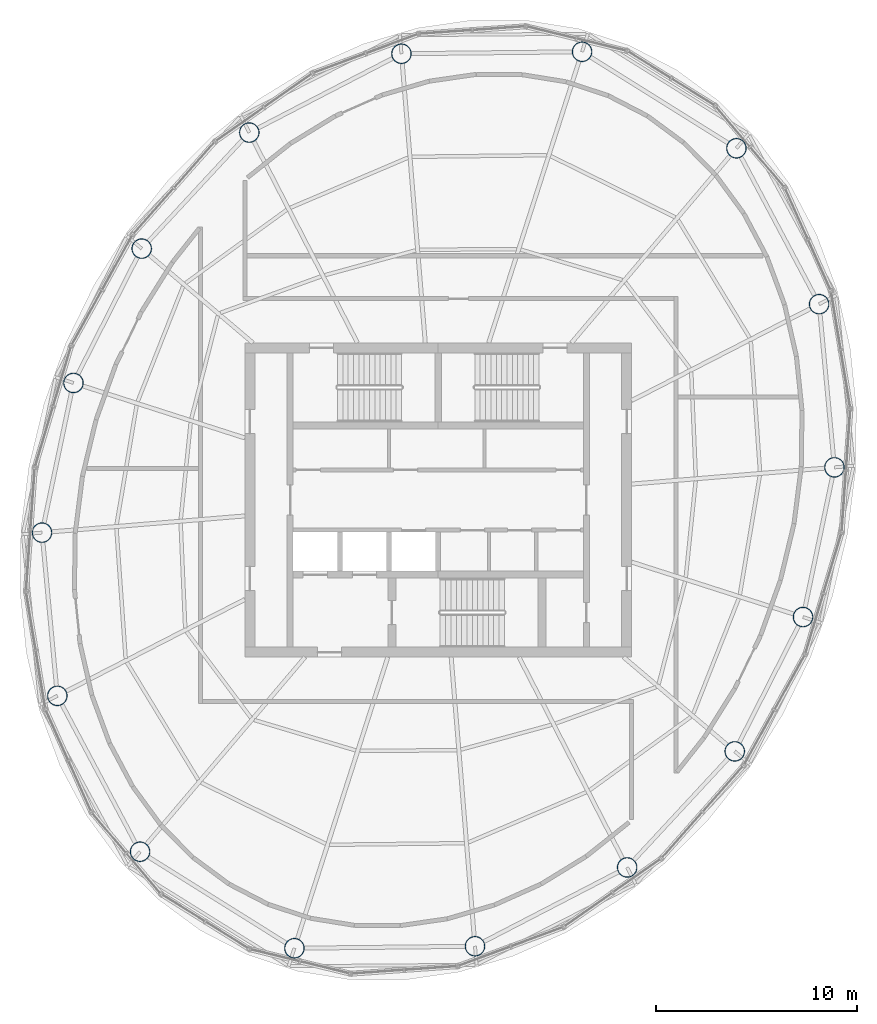
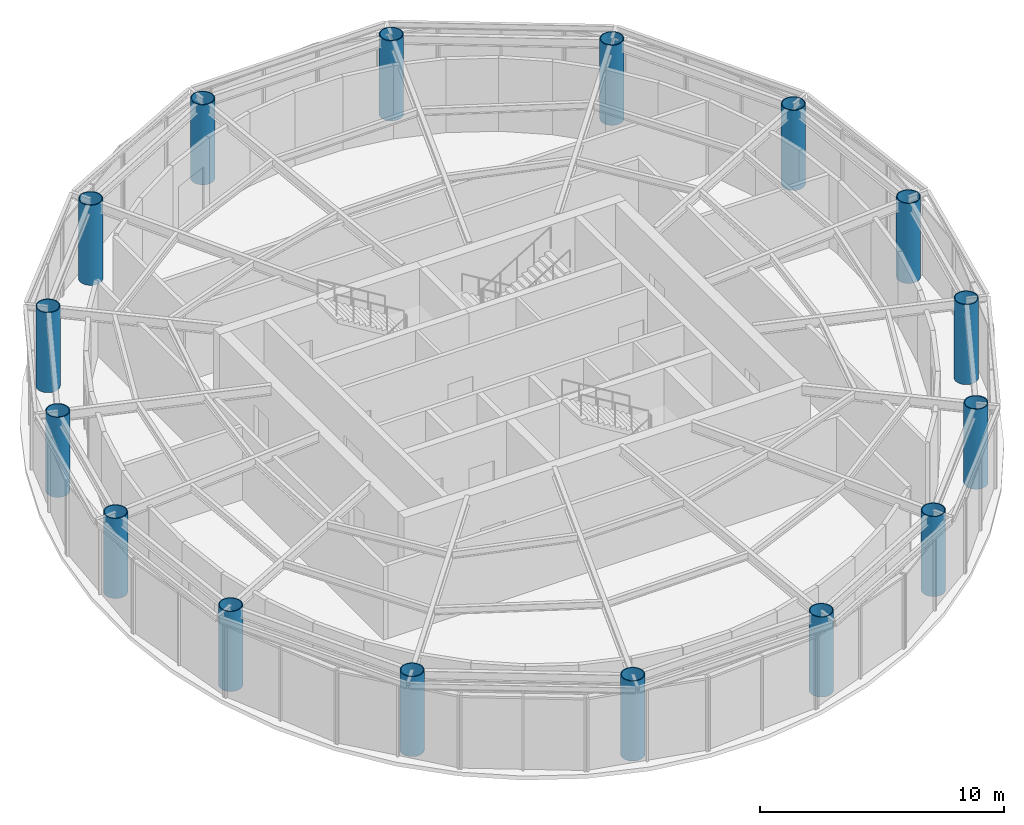
# One storey, part 1 of 11: 16 columns.
"""IFC4 building model written with IfcOpenShell, lengths in metres."""

import ifcopenshell
import ifcopenshell.guid

model = None  # the IFC model being written
_history = None  # IfcOwnerHistory: only IFC2X3 demands one
_inside = {}  # id of a spatial element -> (the spatial element, [elements in it])
_under = {}  # id of a project, library or spatial element -> (it, [spatial elements below it])
_declared = {}  # id of a project -> (the project, [libraries it declares])
_typed = {}  # id of a type object -> (the type object, [elements of that type])
_made_of = {}  # id of a material, layer set ... -> (it, [elements and type objects made of it])


def new_model(schema):
    """Start an empty IFC model of exactly this schema.

    Asked for "IFC4X3", IfcOpenShell would pick the latest addendum, in which some entities
    have other attributes; the version numbers below select the first issue.
    IFC2X3 requires an IfcOwnerHistory on every rooted entity: one is made here for all.
    """
    global model, _history
    if schema == "IFC4X3":
        model = ifcopenshell.file(schema_version=(4, 3, 0, 0))
    else:
        model = ifcopenshell.file(schema=schema)
    _inside.clear()
    _under.clear()
    _declared.clear()
    _typed.clear()
    _made_of.clear()
    _history = None
    if model.schema == "IFC2X3":
        org = make("IfcOrganization", Name="unknown")
        user = make(
            "IfcPersonAndOrganization",
            ThePerson=make("IfcPerson", FamilyName="unknown"),
            TheOrganization=org,
        )
        app = make(
            "IfcApplication",
            ApplicationDeveloper=org,
            Version="unknown",
            ApplicationFullName="unknown",
            ApplicationIdentifier="unknown",
        )
        _history = make(
            "IfcOwnerHistory",
            OwningUser=user,
            OwningApplication=app,
            ChangeAction="ADDED",
            CreationDate=0,
        )
    return model


def make(cls, **values):
    """One entity of the class cls with the attributes given. An attribute that is None is left unset."""
    return model.create_entity(
        cls, **{name: value for name, value in values.items() if value is not None}
    )


def rooted(cls, **values):
    """An entity with a GlobalId (a new one), such as an element, a storey or a relation."""
    return make(cls, GlobalId=ifcopenshell.guid.new(), OwnerHistory=_history, **values)


def si_unit(unit_type, name, prefix=None):
    """IfcSIUnit, for example si_unit("LENGTHUNIT", "METRE", prefix="MILLI")."""
    return make("IfcSIUnit", UnitType=unit_type, Prefix=prefix, Name=name)


def assignment(units):
    """IfcUnitAssignment: the units of a project."""
    return None if units is None else make("IfcUnitAssignment", Units=units)


def point(xyz):
    """IfcCartesianPoint."""
    return None if xyz is None else make("IfcCartesianPoint", Coordinates=xyz)


def direction(xyz):
    """IfcDirection."""
    return None if xyz is None else make("IfcDirection", DirectionRatios=xyz)


def frame(location, z_axis=None, x_axis=None):
    """IfcAxis2Placement3D, a coordinate frame: its origin and axes. An axis left out is left unset."""
    return make(
        "IfcAxis2Placement3D",
        Location=point(location),
        Axis=direction(z_axis),
        RefDirection=direction(x_axis),
    )


def frame_2d(location, x_axis=None):
    """IfcAxis2Placement2D, a coordinate frame in the plane: its origin and x axis."""
    return make(
        "IfcAxis2Placement2D", Location=point(location), RefDirection=direction(x_axis)
    )


def origin():
    """The frame at (0, 0, 0) with its axes left unset."""
    return frame((0.0, 0.0, 0.0))


def origin_2d():
    """The frame at (0, 0) in the plane with its x axis left unset."""
    return frame_2d((0.0, 0.0))


def place(relative_to, where):
    """IfcLocalPlacement: puts the frame where relative to a parent placement (None: the world)."""
    return make(
        "IfcLocalPlacement", PlacementRelTo=relative_to, RelativePlacement=where
    )


def context(
    kind, dimensions, precision=None, world=None, true_north=None, identifier=None
):
    """IfcGeometricRepresentationContext, for example the 3D "Model" context."""
    return make(
        "IfcGeometricRepresentationContext",
        ContextIdentifier=identifier,
        ContextType=kind,
        CoordinateSpaceDimension=dimensions,
        Precision=precision,
        WorldCoordinateSystem=world,
        TrueNorth=true_north,
    )


def subcontext(parent, identifier, kind, view, scale=None):
    """IfcGeometricRepresentationSubContext, for example "Body" below "Model"."""
    return make(
        "IfcGeometricRepresentationSubContext",
        ContextIdentifier=identifier,
        ContextType=kind,
        ParentContext=parent,
        TargetScale=scale,
        TargetView=view,
    )


def project(units=None, contexts=None):
    """IfcProject with its units and contexts."""
    return rooted(
        "IfcProject",
        Name="project",
        RepresentationContexts=contexts,
        UnitsInContext=assignment(units),
    )


def spatial(cls, under=None, at=None, **own):
    """A site, building, storey or space (cls), placed at a placement, below another one or the project."""
    s = rooted(cls, ObjectPlacement=at, **own)
    if under is not None:
        _under.setdefault(under.id(), (under, []))[1].append(s)
    return s


def profile(cls, at=None, kind="AREA", **sizes):
    """A parametric profile (cls). Its sizes go by their IFC names, for example OverallWidth=200.0."""
    return make(cls, ProfileType=kind, Position=at, **sizes)


def hollow_circle(**sizes):
    """IfcCircleHollowProfileDef."""
    return profile("IfcCircleHollowProfileDef", **sizes)


def extrude(swept, where, along, depth):
    """IfcExtrudedAreaSolid: the profile swept, set in the frame where, extruded along a direction by depth."""
    return make(
        "IfcExtrudedAreaSolid",
        SweptArea=swept,
        Position=where,
        ExtrudedDirection=direction(along),
        Depth=depth,
    )


def shape(context_of_items, identifier, shape_type, items):
    """IfcShapeRepresentation: the items that make up one representation, for example the "Body"."""
    return make(
        "IfcShapeRepresentation",
        ContextOfItems=context_of_items,
        RepresentationIdentifier=identifier,
        RepresentationType=shape_type,
        Items=items,
    )


def material(Name=None, Category=None):
    """IfcMaterial."""
    return make("IfcMaterial", Name=Name, Category=Category)


def material_profile(
    of_material, cross_section, Name=None, Category=None, Priority=None
):
    """IfcMaterialProfile: a cross section and its material."""
    return make(
        "IfcMaterialProfile",
        Name=Name,
        Material=of_material,
        Profile=cross_section,
        Priority=Priority,
        Category=Category,
    )


def profile_set(profiles, Name=None, composite=None):
    """IfcMaterialProfileSet."""
    return make(
        "IfcMaterialProfileSet",
        Name=Name,
        MaterialProfiles=profiles,
        CompositeProfile=composite,
    )


def made_of(thing, what):
    """Note that an element or type object is made of a material, layer set ...; save() writes the relation."""
    if what is not None:
        _made_of.setdefault(what.id(), (what, []))[1].append(thing)
    return thing


def type_object(cls, material=None, **own):
    """A type object (cls), such as IfcWallType, which elements share."""
    return made_of(rooted(cls, **own), material)


def element(
    cls,
    number,
    at=None,
    inside=None,
    cuts=None,
    type_object=None,
    material=None,
    context=None,
    identifier="Body",
    shape_type=None,
    held_by="IfcProductDefinitionShape",
    body=None,
    shapes=None,
    **own,
):
    """One element of the class cls, such as IfcWall. Its Tag is "e" and its number.

    at: its placement. inside: the storey or other place that contains it. cuts: it is an
    opening in that element (IfcRelVoidsElement). A single representation is given by context,
    identifier, shape_type and body (its items); several are given by shapes. held_by: the class
    of the entity that holds the representations. save() writes the other relations.
    """
    e = rooted(cls, Tag="e%d" % number, ObjectPlacement=at, **own)
    if body is not None:
        shapes = [shape(context, identifier, shape_type, body)]
    if shapes is not None:
        e.Representation = make(held_by, Representations=shapes)
    if inside is not None:
        _inside.setdefault(inside.id(), (inside, []))[1].append(e)
    if cuts is not None:
        rooted(
            "IfcRelVoidsElement", RelatingBuildingElement=cuts, RelatedOpeningElement=e
        )
    if type_object is not None:
        _typed.setdefault(type_object.id(), (type_object, []))[1].append(e)
    return made_of(e, material)


def aggregate(whole, parts):
    """IfcRelAggregates: a whole, such as a stair, and the parts it consists of."""
    return rooted("IfcRelAggregates", RelatingObject=whole, RelatedObjects=parts)


def save(model, path):
    """Write the relations noted so far, then the file.

    IfcRelAggregates (storeys below a building ...), IfcRelContainedInSpatialStructure (elements
    in a storey), IfcRelDefinesByType, IfcRelAssociatesMaterial and IfcRelDeclares: one each for
    every whole, place, type object, material and project.
    """
    for whole, parts in _under.values():
        aggregate(whole, parts)
    for where, things in _inside.values():
        rooted(
            "IfcRelContainedInSpatialStructure",
            RelatedElements=things,
            RelatingStructure=where,
        )
    for kind, things in _typed.values():
        rooted("IfcRelDefinesByType", RelatedObjects=things, RelatingType=kind)
    for what, things in _made_of.values():
        rooted("IfcRelAssociatesMaterial", RelatedObjects=things, RelatingMaterial=what)
    for by, libraries in _declared.values():
        rooted("IfcRelDeclares", RelatingContext=by, RelatedDefinitions=libraries)
    model.write(path)


model = new_model("IFC4")

# Units and contexts
model_context = context("Model", 3, precision=1e-05, world=origin(), true_north=direction((0.0, 1.0)))
body_context = subcontext(model_context, "Body", "Model", "MODEL_VIEW")
ifc_project = project(units=[si_unit("LENGTHUNIT", "METRE"), si_unit("AREAUNIT", "SQUARE_METRE"), si_unit("VOLUMEUNIT", "CUBIC_METRE"), si_unit("PLANEANGLEUNIT", "RADIAN"), si_unit("MASSUNIT", "GRAM", prefix="KILO")], contexts=[model_context])

# Site, building, storey
site_placement = place(None, origin())
site = spatial("IfcSite", under=ifc_project, at=site_placement, CompositionType="ELEMENT")
building_placement = place(site_placement, origin())
building = spatial("IfcBuilding", under=site, at=building_placement, Name="Vermilion Reach Broadcast Tower", CompositionType="ELEMENT")
storey_placement = place(building_placement, frame((0.0, 0.0, 321.300048828125)))
storey = spatial("IfcBuildingStorey", under=building, at=storey_placement, Name="L80 CROWN", CompositionType="ELEMENT", Elevation=321.300048828125)

# Columns
ifc_material = material(Name="Concrete C60 infill in steel S460NL tube", Category="concrete")
ifc_material_profile = material_profile(ifc_material, hollow_circle(Radius=0.5, WallThickness=0.0400390625, at=origin_2d()), Name="Concrete C60 infill in steel S460NL tube CFT 1000x40")
ifc_profile_set = profile_set([ifc_material_profile], Name="Concrete C60 infill in steel S460NL tube")
column_type = type_object("IfcColumnType", Name="MC5 CFT 1000x40", PredefinedType="COLUMN", material=ifc_profile_set)
for number, where, z_axis, x_axis, name in (
    (1, (1.138427734375, 22.2470703125, 0.0), (0.0, 0.0, 1.0), (1.0, 0.0, 0.0), "Mega-column MC5-01"),
    (2, (-7.824951171875, 22.1494140625, 0.0), (0.0, 0.0, 1.0), (1.0, 0.0, 0.0), "Mega-column MC5-02"),
    (3, (-15.376953125, 18.23779296875, 0.0), (0.0, 0.0, 1.0), (1.0, 0.0, 0.0), "Mega-column MC5-03"),
    (4, (-20.717529296875, 12.476806640625, 0.0), (0.0, 0.0, 1.0), (1.0, 0.0, 0.0), "Mega-column MC5-04"),
    (5, (-24.10595703125, 5.809814453125, 0.0), (0.0, 0.0, 1.0), (1.0, 0.0, 0.0), "Mega-column MC5-05"),
    (6, (-25.665771484375, -1.620361328125, 0.0), (0.0, 0.0, 1.0), (1.0, 0.0, 0.0), "Mega-column MC5-06"),
    (7, (-24.905517578125, -9.72021484375, 0.0), (0.0, 0.0, 1.0), (1.0, 0.0, 0.0), "Mega-column MC5-07"),
    (8, (-20.799560546875, -17.457275390625, 0.0), (0.0, 0.0, 1.0), (1.0, 0.0, 0.0), "Mega-column MC5-08"),
    (9, (-13.138427734375, -22.2470703125, 0.0), (0.0, 0.0, 1.0), (1.0, 0.0, 0.0), "Mega-column MC5-09"),
    (10, (-4.175048828125, -22.1494140625, 0.0), (0.0, 0.0, 1.0), (1.0, 0.0, 0.0), "Mega-column MC5-10"),
    (11, (3.376953125, -18.23779296875, 0.0), (0.0, 0.0, 1.0), (1.0, 0.0, 0.0), "Mega-column MC5-11"),
    (12, (8.717529296875, -12.476806640625, 0.0), (0.0, 0.0, 1.0), (1.0, 0.0, 0.0), "Mega-column MC5-12"),
    (13, (12.10595703125, -5.809814453125, 0.0), (0.0, 0.0, 1.0), (1.0, 0.0, 0.0), "Mega-column MC5-13"),
    (14, (13.665771484375, 1.620361328125, 0.0), (0.0, 0.0, 1.0), (1.0, 0.0, 0.0), "Mega-column MC5-14"),
    (15, (12.905517578125, 9.72021484375, 0.0), (0.0, 0.0, 1.0), (1.0, 0.0, 0.0), "Mega-column MC5-15"),
    (16, (8.799560546875, 17.457275390625, 0.0), (0.0, 0.0, 1.0), (1.0, 0.0, 0.0), "Mega-column MC5-16"),
):
    element("IfcColumn", number, at=place(storey_placement, frame(where, z_axis=z_axis, x_axis=x_axis)), inside=storey, type_object=column_type, Name=name, PredefinedType="COLUMN", context=body_context, shape_type="SweptSolid", body=[
        extrude(hollow_circle(Radius=0.5, WallThickness=0.0400390625, at=origin_2d()), origin(), (0.0, 0.0, 1.0), 4.0),
    ])

save(model, "model.ifc")
